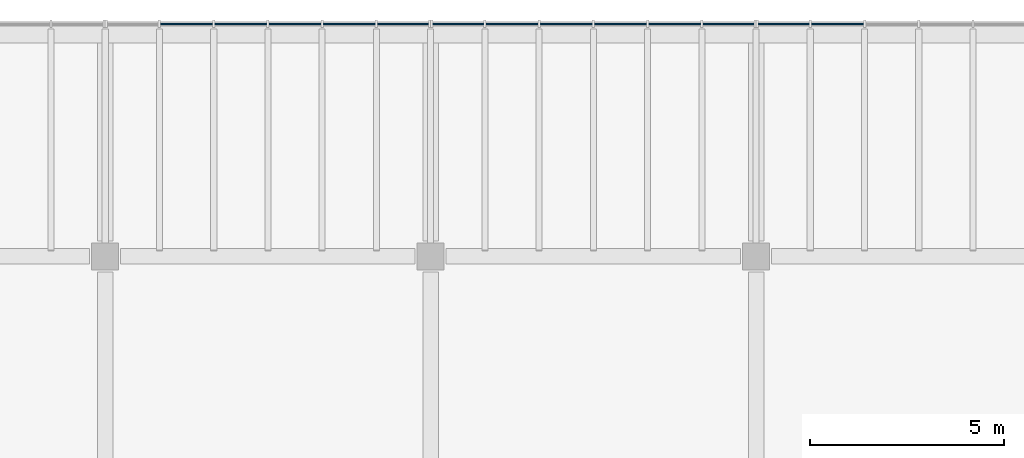
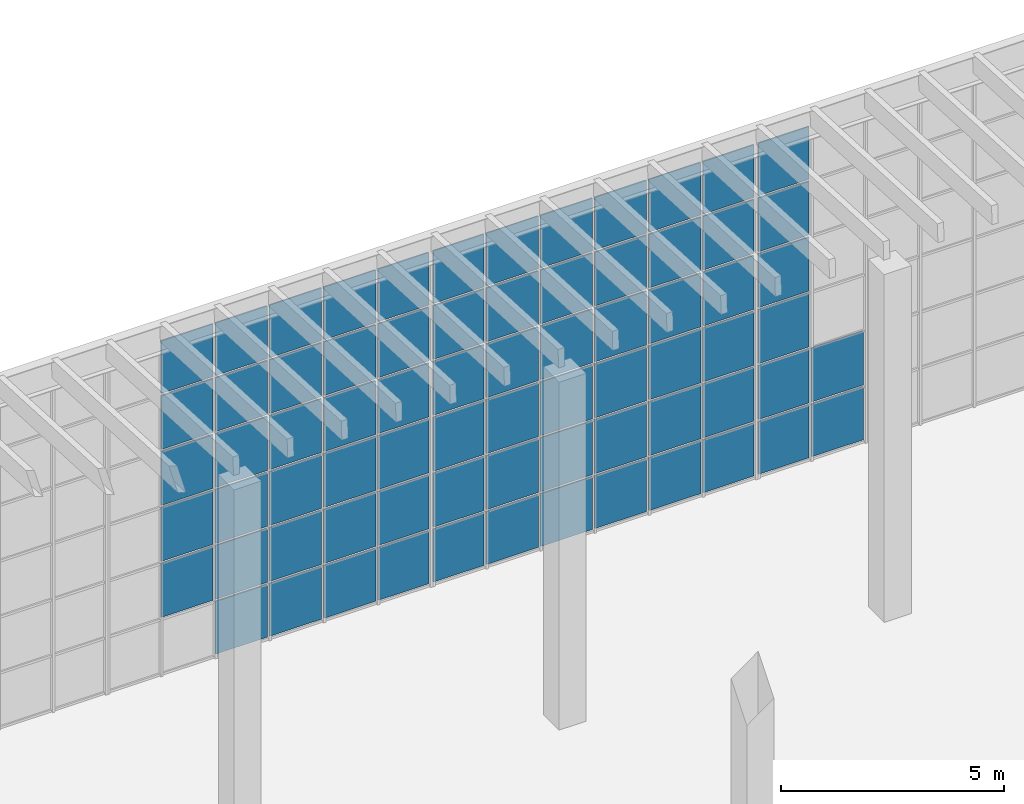
# One storey, part 33 of 114: 73 plates, 3 elements without a shape of their own.
"""IFC4 building model written with IfcOpenShell, lengths in metres."""

from ifc_helpers import new_model, si_unit, direction, frame, origin, origin_2d, place, context, subcontext, project, spatial, rectangle, extrude, material, layer, layer_set, type_object, element, aggregate, save


model = new_model("IFC4")

# Units and contexts
model_context = context("Model", 3, precision=1e-05, world=origin(), true_north=direction((0.0, 1.0)))
body_context = subcontext(model_context, "Body", "Model", "MODEL_VIEW")
ifc_project = project(units=[si_unit("LENGTHUNIT", "METRE"), si_unit("AREAUNIT", "SQUARE_METRE"), si_unit("VOLUMEUNIT", "CUBIC_METRE"), si_unit("PLANEANGLEUNIT", "RADIAN"), si_unit("MASSUNIT", "GRAM", prefix="KILO")], contexts=[model_context])

# Site, building, storey
site_placement = place(None, origin())
site = spatial("IfcSite", under=ifc_project, at=site_placement, CompositionType="ELEMENT")
building_placement = place(site_placement, origin())
building = spatial("IfcBuilding", under=site, at=building_placement, Name="Almond Square Museum", CompositionType="ELEMENT")
storey_placement = place(building_placement, frame((0.0, 0.0, 10.5)))
storey = spatial("IfcBuildingStorey", under=building, at=storey_placement, Name="L02", CompositionType="ELEMENT", Elevation=10.5)

# Curtain wall, plates
ifc_material_1 = material(Name="Aluminium and laminated glass", Category="aluminium")
curtain_wall_type = type_object("IfcCurtainWallType", Name="Unitised curtain wall 1500 module", PredefinedType="NOTDEFINED", material=ifc_material_1)
curtain_wall_1_placement = place(storey_placement, origin())
curtain_wall_1 = element("IfcCurtainWall", 1, at=curtain_wall_1_placement, inside=storey, type_object=curtain_wall_type, Name="Curtain wall CW-21", PredefinedType="NOTDEFINED")
ifc_material_2 = material(Name="Laminated hurricane-rated glass", Category="glass")
ifc_layer = layer(ifc_material_2, 0.035888671875)
ifc_layer_set = layer_set([ifc_layer], Name="Laminated hurricane-rated glass")
plate_type = type_object("IfcPlateType", Name="Laminated glass panel 36", PredefinedType="CURTAIN_PANEL", material=ifc_layer_set)
plate_1_placement = place(storey_placement, frame((65.514892578125, 115.199951171875, 0.06005859375), z_axis=(0.0, 0.0, 1.0), x_axis=(1.0, 0.0, 0.0)))
plate_1 = element("IfcPlate", 2, at=plate_1_placement, type_object=plate_type, Name="CW-21 panel 1.1", PredefinedType="CURTAIN_PANEL", context=body_context, shape_type="SweptSolid", body=[
    extrude(rectangle(XDim=1.31005859375, YDim=0.035888671875, at=origin_2d()), origin(), (0.0, 0.0, 1.0), 1.437744140625),
])
plate_2_placement = place(storey_placement, frame((65.514892578125, 115.199951171875, 1.5576171875), z_axis=(0.0, 0.0, 1.0), x_axis=(1.0, 0.0, 0.0)))
plate_2 = element("IfcPlate", 3, at=plate_2_placement, type_object=plate_type, Name="CW-21 panel 1.2", PredefinedType="CURTAIN_PANEL", context=body_context, shape_type="SweptSolid", body=[
    extrude(rectangle(XDim=1.31005859375, YDim=0.035888671875, at=origin_2d()), origin(), (0.0, 0.0, 1.0), 1.4677734375),
])
plate_3_placement = place(storey_placement, frame((65.514892578125, 115.199951171875, 3.08544921875), z_axis=(0.0, 0.0, 1.0), x_axis=(1.0, 0.0, 0.0)))
plate_3 = element("IfcPlate", 4, at=plate_3_placement, type_object=plate_type, Name="CW-21 panel 1.3", PredefinedType="CURTAIN_PANEL", context=body_context, shape_type="SweptSolid", body=[
    extrude(rectangle(XDim=1.31005859375, YDim=0.035888671875, at=origin_2d()), origin(), (0.0, 0.0, 1.0), 1.4677734375),
])
plate_4_placement = place(storey_placement, frame((65.514892578125, 115.199951171875, 4.613037109375), z_axis=(0.0, 0.0, 1.0), x_axis=(1.0, 0.0, 0.0)))
plate_4 = element("IfcPlate", 5, at=plate_4_placement, type_object=plate_type, Name="CW-21 panel 1.4", PredefinedType="CURTAIN_PANEL", context=body_context, shape_type="SweptSolid", body=[
    extrude(rectangle(XDim=1.31005859375, YDim=0.035888671875, at=origin_2d()), origin(), (0.0, 0.0, 1.0), 1.4677734375),
])
plate_5_placement = place(storey_placement, frame((65.514892578125, 115.199951171875, 6.140869140625), z_axis=(0.0, 0.0, 1.0), x_axis=(1.0, 0.0, 0.0)))
plate_5 = element("IfcPlate", 6, at=plate_5_placement, type_object=plate_type, Name="CW-21 panel 1.5", PredefinedType="CURTAIN_PANEL", context=body_context, shape_type="SweptSolid", body=[
    extrude(rectangle(XDim=1.31005859375, YDim=0.035888671875, at=origin_2d()), origin(), (0.0, 0.0, 1.0), 1.4677734375),
])
plate_6_placement = place(storey_placement, frame((65.514892578125, 115.199951171875, 7.66845703125), z_axis=(0.0, 0.0, 1.0), x_axis=(1.0, 0.0, 0.0)))
plate_6 = element("IfcPlate", 7, at=plate_6_placement, type_object=plate_type, Name="CW-21 panel 1.6", PredefinedType="CURTAIN_PANEL", context=body_context, shape_type="SweptSolid", body=[
    extrude(rectangle(XDim=1.31005859375, YDim=0.035888671875, at=origin_2d()), origin(), (0.0, 0.0, 1.0), 1.437744140625),
])
plate_7_placement = place(storey_placement, frame((66.89990234375, 115.199951171875, 0.06005859375), z_axis=(0.0, 0.0, 1.0), x_axis=(1.0, 0.0, 0.0)))
plate_7 = element("IfcPlate", 8, at=plate_7_placement, type_object=plate_type, Name="CW-21 panel 2.1", PredefinedType="CURTAIN_PANEL", context=body_context, shape_type="SweptSolid", body=[
    extrude(rectangle(XDim=1.340087890625, YDim=0.035888671875, at=origin_2d()), origin(), (0.0, 0.0, 1.0), 1.437744140625),
])
plate_8_placement = place(storey_placement, frame((66.89990234375, 115.199951171875, 1.5576171875), z_axis=(0.0, 0.0, 1.0), x_axis=(1.0, 0.0, 0.0)))
plate_8 = element("IfcPlate", 9, at=plate_8_placement, type_object=plate_type, Name="CW-21 panel 2.2", PredefinedType="CURTAIN_PANEL", context=body_context, shape_type="SweptSolid", body=[
    extrude(rectangle(XDim=1.340087890625, YDim=0.035888671875, at=origin_2d()), origin(), (0.0, 0.0, 1.0), 1.4677734375),
])
aggregate(curtain_wall_1, [plate_1, plate_2, plate_3, plate_4, plate_5, plate_6, plate_7, plate_8])

curtain_wall_2_placement = place(storey_placement, origin())
curtain_wall_2 = element("IfcCurtainWall", 10, at=curtain_wall_2_placement, inside=storey, type_object=curtain_wall_type, Name="Curtain wall CW-22", PredefinedType="NOTDEFINED")
plate_9_placement = place(storey_placement, frame((57.114990234375, 115.199951171875, 0.06005859375), z_axis=(0.0, 0.0, 1.0), x_axis=(1.0, 0.0, 0.0)))
plate_9 = element("IfcPlate", 11, at=plate_9_placement, type_object=plate_type, Name="CW-22 panel 1.1", PredefinedType="CURTAIN_PANEL", context=body_context, shape_type="SweptSolid", body=[
    extrude(rectangle(XDim=1.31005859375, YDim=0.035888671875, at=origin_2d()), origin(), (0.0, 0.0, 1.0), 1.437744140625),
])
plate_10_placement = place(storey_placement, frame((57.114990234375, 115.199951171875, 1.5576171875), z_axis=(0.0, 0.0, 1.0), x_axis=(1.0, 0.0, 0.0)))
plate_10 = element("IfcPlate", 12, at=plate_10_placement, type_object=plate_type, Name="CW-22 panel 1.2", PredefinedType="CURTAIN_PANEL", context=body_context, shape_type="SweptSolid", body=[
    extrude(rectangle(XDim=1.31005859375, YDim=0.035888671875, at=origin_2d()), origin(), (0.0, 0.0, 1.0), 1.4677734375),
])
plate_11_placement = place(storey_placement, frame((57.114990234375, 115.199951171875, 3.08544921875), z_axis=(0.0, 0.0, 1.0), x_axis=(1.0, 0.0, 0.0)))
plate_11 = element("IfcPlate", 13, at=plate_11_placement, type_object=plate_type, Name="CW-22 panel 1.3", PredefinedType="CURTAIN_PANEL", context=body_context, shape_type="SweptSolid", body=[
    extrude(rectangle(XDim=1.31005859375, YDim=0.035888671875, at=origin_2d()), origin(), (0.0, 0.0, 1.0), 1.4677734375),
])
plate_12_placement = place(storey_placement, frame((57.114990234375, 115.199951171875, 4.613037109375), z_axis=(0.0, 0.0, 1.0), x_axis=(1.0, 0.0, 0.0)))
plate_12 = element("IfcPlate", 14, at=plate_12_placement, type_object=plate_type, Name="CW-22 panel 1.4", PredefinedType="CURTAIN_PANEL", context=body_context, shape_type="SweptSolid", body=[
    extrude(rectangle(XDim=1.31005859375, YDim=0.035888671875, at=origin_2d()), origin(), (0.0, 0.0, 1.0), 1.4677734375),
])
plate_13_placement = place(storey_placement, frame((57.114990234375, 115.199951171875, 6.140869140625), z_axis=(0.0, 0.0, 1.0), x_axis=(1.0, 0.0, 0.0)))
plate_13 = element("IfcPlate", 15, at=plate_13_placement, type_object=plate_type, Name="CW-22 panel 1.5", PredefinedType="CURTAIN_PANEL", context=body_context, shape_type="SweptSolid", body=[
    extrude(rectangle(XDim=1.31005859375, YDim=0.035888671875, at=origin_2d()), origin(), (0.0, 0.0, 1.0), 1.4677734375),
])
plate_14_placement = place(storey_placement, frame((57.114990234375, 115.199951171875, 7.66845703125), z_axis=(0.0, 0.0, 1.0), x_axis=(1.0, 0.0, 0.0)))
plate_14 = element("IfcPlate", 16, at=plate_14_placement, type_object=plate_type, Name="CW-22 panel 1.6", PredefinedType="CURTAIN_PANEL", context=body_context, shape_type="SweptSolid", body=[
    extrude(rectangle(XDim=1.31005859375, YDim=0.035888671875, at=origin_2d()), origin(), (0.0, 0.0, 1.0), 1.437744140625),
])
plate_15_placement = place(storey_placement, frame((58.5, 115.199951171875, 0.06005859375), z_axis=(0.0, 0.0, 1.0), x_axis=(1.0, 0.0, 0.0)))
plate_15 = element("IfcPlate", 17, at=plate_15_placement, type_object=plate_type, Name="CW-22 panel 2.1", PredefinedType="CURTAIN_PANEL", context=body_context, shape_type="SweptSolid", body=[
    extrude(rectangle(XDim=1.340087890625, YDim=0.035888671875, at=origin_2d()), origin(), (0.0, 0.0, 1.0), 1.437744140625),
])
plate_16_placement = place(storey_placement, frame((58.5, 115.199951171875, 1.5576171875), z_axis=(0.0, 0.0, 1.0), x_axis=(1.0, 0.0, 0.0)))
plate_16 = element("IfcPlate", 18, at=plate_16_placement, type_object=plate_type, Name="CW-22 panel 2.2", PredefinedType="CURTAIN_PANEL", context=body_context, shape_type="SweptSolid", body=[
    extrude(rectangle(XDim=1.340087890625, YDim=0.035888671875, at=origin_2d()), origin(), (0.0, 0.0, 1.0), 1.4677734375),
])
plate_17_placement = place(storey_placement, frame((58.5, 115.199951171875, 3.08544921875), z_axis=(0.0, 0.0, 1.0), x_axis=(1.0, 0.0, 0.0)))
plate_17 = element("IfcPlate", 19, at=plate_17_placement, type_object=plate_type, Name="CW-22 panel 2.3", PredefinedType="CURTAIN_PANEL", context=body_context, shape_type="SweptSolid", body=[
    extrude(rectangle(XDim=1.340087890625, YDim=0.035888671875, at=origin_2d()), origin(), (0.0, 0.0, 1.0), 1.4677734375),
])
plate_18_placement = place(storey_placement, frame((58.5, 115.199951171875, 4.613037109375), z_axis=(0.0, 0.0, 1.0), x_axis=(1.0, 0.0, 0.0)))
plate_18 = element("IfcPlate", 20, at=plate_18_placement, type_object=plate_type, Name="CW-22 panel 2.4", PredefinedType="CURTAIN_PANEL", context=body_context, shape_type="SweptSolid", body=[
    extrude(rectangle(XDim=1.340087890625, YDim=0.035888671875, at=origin_2d()), origin(), (0.0, 0.0, 1.0), 1.4677734375),
])
plate_19_placement = place(storey_placement, frame((58.5, 115.199951171875, 6.140869140625), z_axis=(0.0, 0.0, 1.0), x_axis=(1.0, 0.0, 0.0)))
plate_19 = element("IfcPlate", 21, at=plate_19_placement, type_object=plate_type, Name="CW-22 panel 2.5", PredefinedType="CURTAIN_PANEL", context=body_context, shape_type="SweptSolid", body=[
    extrude(rectangle(XDim=1.340087890625, YDim=0.035888671875, at=origin_2d()), origin(), (0.0, 0.0, 1.0), 1.4677734375),
])
plate_20_placement = place(storey_placement, frame((58.5, 115.199951171875, 7.66845703125), z_axis=(0.0, 0.0, 1.0), x_axis=(1.0, 0.0, 0.0)))
plate_20 = element("IfcPlate", 22, at=plate_20_placement, type_object=plate_type, Name="CW-22 panel 2.6", PredefinedType="CURTAIN_PANEL", context=body_context, shape_type="SweptSolid", body=[
    extrude(rectangle(XDim=1.340087890625, YDim=0.035888671875, at=origin_2d()), origin(), (0.0, 0.0, 1.0), 1.437744140625),
])
plate_21_placement = place(storey_placement, frame((59.89990234375, 115.199951171875, 0.06005859375), z_axis=(0.0, 0.0, 1.0), x_axis=(1.0, 0.0, 0.0)))
plate_21 = element("IfcPlate", 23, at=plate_21_placement, type_object=plate_type, Name="CW-22 panel 3.1", PredefinedType="CURTAIN_PANEL", context=body_context, shape_type="SweptSolid", body=[
    extrude(rectangle(XDim=1.340087890625, YDim=0.035888671875, at=origin_2d()), origin(), (0.0, 0.0, 1.0), 1.437744140625),
])
plate_22_placement = place(storey_placement, frame((59.89990234375, 115.199951171875, 1.5576171875), z_axis=(0.0, 0.0, 1.0), x_axis=(1.0, 0.0, 0.0)))
plate_22 = element("IfcPlate", 24, at=plate_22_placement, type_object=plate_type, Name="CW-22 panel 3.2", PredefinedType="CURTAIN_PANEL", context=body_context, shape_type="SweptSolid", body=[
    extrude(rectangle(XDim=1.340087890625, YDim=0.035888671875, at=origin_2d()), origin(), (0.0, 0.0, 1.0), 1.4677734375),
])
plate_23_placement = place(storey_placement, frame((59.89990234375, 115.199951171875, 3.08544921875), z_axis=(0.0, 0.0, 1.0), x_axis=(1.0, 0.0, 0.0)))
plate_23 = element("IfcPlate", 25, at=plate_23_placement, type_object=plate_type, Name="CW-22 panel 3.3", PredefinedType="CURTAIN_PANEL", context=body_context, shape_type="SweptSolid", body=[
    extrude(rectangle(XDim=1.340087890625, YDim=0.035888671875, at=origin_2d()), origin(), (0.0, 0.0, 1.0), 1.4677734375),
])
plate_24_placement = place(storey_placement, frame((59.89990234375, 115.199951171875, 4.613037109375), z_axis=(0.0, 0.0, 1.0), x_axis=(1.0, 0.0, 0.0)))
plate_24 = element("IfcPlate", 26, at=plate_24_placement, type_object=plate_type, Name="CW-22 panel 3.4", PredefinedType="CURTAIN_PANEL", context=body_context, shape_type="SweptSolid", body=[
    extrude(rectangle(XDim=1.340087890625, YDim=0.035888671875, at=origin_2d()), origin(), (0.0, 0.0, 1.0), 1.4677734375),
])
plate_25_placement = place(storey_placement, frame((59.89990234375, 115.199951171875, 6.140869140625), z_axis=(0.0, 0.0, 1.0), x_axis=(1.0, 0.0, 0.0)))
plate_25 = element("IfcPlate", 27, at=plate_25_placement, type_object=plate_type, Name="CW-22 panel 3.5", PredefinedType="CURTAIN_PANEL", context=body_context, shape_type="SweptSolid", body=[
    extrude(rectangle(XDim=1.340087890625, YDim=0.035888671875, at=origin_2d()), origin(), (0.0, 0.0, 1.0), 1.4677734375),
])
plate_26_placement = place(storey_placement, frame((59.89990234375, 115.199951171875, 7.66845703125), z_axis=(0.0, 0.0, 1.0), x_axis=(1.0, 0.0, 0.0)))
plate_26 = element("IfcPlate", 28, at=plate_26_placement, type_object=plate_type, Name="CW-22 panel 3.6", PredefinedType="CURTAIN_PANEL", context=body_context, shape_type="SweptSolid", body=[
    extrude(rectangle(XDim=1.340087890625, YDim=0.035888671875, at=origin_2d()), origin(), (0.0, 0.0, 1.0), 1.437744140625),
])
plate_27_placement = place(storey_placement, frame((61.300048828125, 115.199951171875, 0.06005859375), z_axis=(0.0, 0.0, 1.0), x_axis=(1.0, 0.0, 0.0)))
plate_27 = element("IfcPlate", 29, at=plate_27_placement, type_object=plate_type, Name="CW-22 panel 4.1", PredefinedType="CURTAIN_PANEL", context=body_context, shape_type="SweptSolid", body=[
    extrude(rectangle(XDim=1.340087890625, YDim=0.035888671875, at=origin_2d()), origin(), (0.0, 0.0, 1.0), 1.437744140625),
])
plate_28_placement = place(storey_placement, frame((61.300048828125, 115.199951171875, 1.5576171875), z_axis=(0.0, 0.0, 1.0), x_axis=(1.0, 0.0, 0.0)))
plate_28 = element("IfcPlate", 30, at=plate_28_placement, type_object=plate_type, Name="CW-22 panel 4.2", PredefinedType="CURTAIN_PANEL", context=body_context, shape_type="SweptSolid", body=[
    extrude(rectangle(XDim=1.340087890625, YDim=0.035888671875, at=origin_2d()), origin(), (0.0, 0.0, 1.0), 1.4677734375),
])
plate_29_placement = place(storey_placement, frame((61.300048828125, 115.199951171875, 3.08544921875), z_axis=(0.0, 0.0, 1.0), x_axis=(1.0, 0.0, 0.0)))
plate_29 = element("IfcPlate", 31, at=plate_29_placement, type_object=plate_type, Name="CW-22 panel 4.3", PredefinedType="CURTAIN_PANEL", context=body_context, shape_type="SweptSolid", body=[
    extrude(rectangle(XDim=1.340087890625, YDim=0.035888671875, at=origin_2d()), origin(), (0.0, 0.0, 1.0), 1.4677734375),
])
plate_30_placement = place(storey_placement, frame((61.300048828125, 115.199951171875, 4.613037109375), z_axis=(0.0, 0.0, 1.0), x_axis=(1.0, 0.0, 0.0)))
plate_30 = element("IfcPlate", 32, at=plate_30_placement, type_object=plate_type, Name="CW-22 panel 4.4", PredefinedType="CURTAIN_PANEL", context=body_context, shape_type="SweptSolid", body=[
    extrude(rectangle(XDim=1.340087890625, YDim=0.035888671875, at=origin_2d()), origin(), (0.0, 0.0, 1.0), 1.4677734375),
])
plate_31_placement = place(storey_placement, frame((61.300048828125, 115.199951171875, 6.140869140625), z_axis=(0.0, 0.0, 1.0), x_axis=(1.0, 0.0, 0.0)))
plate_31 = element("IfcPlate", 33, at=plate_31_placement, type_object=plate_type, Name="CW-22 panel 4.5", PredefinedType="CURTAIN_PANEL", context=body_context, shape_type="SweptSolid", body=[
    extrude(rectangle(XDim=1.340087890625, YDim=0.035888671875, at=origin_2d()), origin(), (0.0, 0.0, 1.0), 1.4677734375),
])
plate_32_placement = place(storey_placement, frame((61.300048828125, 115.199951171875, 7.66845703125), z_axis=(0.0, 0.0, 1.0), x_axis=(1.0, 0.0, 0.0)))
plate_32 = element("IfcPlate", 34, at=plate_32_placement, type_object=plate_type, Name="CW-22 panel 4.6", PredefinedType="CURTAIN_PANEL", context=body_context, shape_type="SweptSolid", body=[
    extrude(rectangle(XDim=1.340087890625, YDim=0.035888671875, at=origin_2d()), origin(), (0.0, 0.0, 1.0), 1.437744140625),
])
plate_33_placement = place(storey_placement, frame((62.699951171875, 115.199951171875, 0.06005859375), z_axis=(0.0, 0.0, 1.0), x_axis=(1.0, 0.0, 0.0)))
plate_33 = element("IfcPlate", 35, at=plate_33_placement, type_object=plate_type, Name="CW-22 panel 5.1", PredefinedType="CURTAIN_PANEL", context=body_context, shape_type="SweptSolid", body=[
    extrude(rectangle(XDim=1.340087890625, YDim=0.035888671875, at=origin_2d()), origin(), (0.0, 0.0, 1.0), 1.437744140625),
])
plate_34_placement = place(storey_placement, frame((62.699951171875, 115.199951171875, 1.5576171875), z_axis=(0.0, 0.0, 1.0), x_axis=(1.0, 0.0, 0.0)))
plate_34 = element("IfcPlate", 36, at=plate_34_placement, type_object=plate_type, Name="CW-22 panel 5.2", PredefinedType="CURTAIN_PANEL", context=body_context, shape_type="SweptSolid", body=[
    extrude(rectangle(XDim=1.340087890625, YDim=0.035888671875, at=origin_2d()), origin(), (0.0, 0.0, 1.0), 1.4677734375),
])
plate_35_placement = place(storey_placement, frame((62.699951171875, 115.199951171875, 3.08544921875), z_axis=(0.0, 0.0, 1.0), x_axis=(1.0, 0.0, 0.0)))
plate_35 = element("IfcPlate", 37, at=plate_35_placement, type_object=plate_type, Name="CW-22 panel 5.3", PredefinedType="CURTAIN_PANEL", context=body_context, shape_type="SweptSolid", body=[
    extrude(rectangle(XDim=1.340087890625, YDim=0.035888671875, at=origin_2d()), origin(), (0.0, 0.0, 1.0), 1.4677734375),
])
plate_36_placement = place(storey_placement, frame((62.699951171875, 115.199951171875, 4.613037109375), z_axis=(0.0, 0.0, 1.0), x_axis=(1.0, 0.0, 0.0)))
plate_36 = element("IfcPlate", 38, at=plate_36_placement, type_object=plate_type, Name="CW-22 panel 5.4", PredefinedType="CURTAIN_PANEL", context=body_context, shape_type="SweptSolid", body=[
    extrude(rectangle(XDim=1.340087890625, YDim=0.035888671875, at=origin_2d()), origin(), (0.0, 0.0, 1.0), 1.4677734375),
])
plate_37_placement = place(storey_placement, frame((62.699951171875, 115.199951171875, 6.140869140625), z_axis=(0.0, 0.0, 1.0), x_axis=(1.0, 0.0, 0.0)))
plate_37 = element("IfcPlate", 39, at=plate_37_placement, type_object=plate_type, Name="CW-22 panel 5.5", PredefinedType="CURTAIN_PANEL", context=body_context, shape_type="SweptSolid", body=[
    extrude(rectangle(XDim=1.340087890625, YDim=0.035888671875, at=origin_2d()), origin(), (0.0, 0.0, 1.0), 1.4677734375),
])
plate_38_placement = place(storey_placement, frame((62.699951171875, 115.199951171875, 7.66845703125), z_axis=(0.0, 0.0, 1.0), x_axis=(1.0, 0.0, 0.0)))
plate_38 = element("IfcPlate", 40, at=plate_38_placement, type_object=plate_type, Name="CW-22 panel 5.6", PredefinedType="CURTAIN_PANEL", context=body_context, shape_type="SweptSolid", body=[
    extrude(rectangle(XDim=1.340087890625, YDim=0.035888671875, at=origin_2d()), origin(), (0.0, 0.0, 1.0), 1.437744140625),
])
plate_39_placement = place(storey_placement, frame((64.0849609375, 115.199951171875, 0.06005859375), z_axis=(0.0, 0.0, 1.0), x_axis=(1.0, 0.0, 0.0)))
plate_39 = element("IfcPlate", 41, at=plate_39_placement, type_object=plate_type, Name="CW-22 panel 6.1", PredefinedType="CURTAIN_PANEL", context=body_context, shape_type="SweptSolid", body=[
    extrude(rectangle(XDim=1.31005859375, YDim=0.035888671875, at=origin_2d()), origin(), (0.0, 0.0, 1.0), 1.437744140625),
])
plate_40_placement = place(storey_placement, frame((64.0849609375, 115.199951171875, 1.5576171875), z_axis=(0.0, 0.0, 1.0), x_axis=(1.0, 0.0, 0.0)))
plate_40 = element("IfcPlate", 42, at=plate_40_placement, type_object=plate_type, Name="CW-22 panel 6.2", PredefinedType="CURTAIN_PANEL", context=body_context, shape_type="SweptSolid", body=[
    extrude(rectangle(XDim=1.31005859375, YDim=0.035888671875, at=origin_2d()), origin(), (0.0, 0.0, 1.0), 1.4677734375),
])
plate_41_placement = place(storey_placement, frame((64.0849609375, 115.199951171875, 3.08544921875), z_axis=(0.0, 0.0, 1.0), x_axis=(1.0, 0.0, 0.0)))
plate_41 = element("IfcPlate", 43, at=plate_41_placement, type_object=plate_type, Name="CW-22 panel 6.3", PredefinedType="CURTAIN_PANEL", context=body_context, shape_type="SweptSolid", body=[
    extrude(rectangle(XDim=1.31005859375, YDim=0.035888671875, at=origin_2d()), origin(), (0.0, 0.0, 1.0), 1.4677734375),
])
plate_42_placement = place(storey_placement, frame((64.0849609375, 115.199951171875, 4.613037109375), z_axis=(0.0, 0.0, 1.0), x_axis=(1.0, 0.0, 0.0)))
plate_42 = element("IfcPlate", 44, at=plate_42_placement, type_object=plate_type, Name="CW-22 panel 6.4", PredefinedType="CURTAIN_PANEL", context=body_context, shape_type="SweptSolid", body=[
    extrude(rectangle(XDim=1.31005859375, YDim=0.035888671875, at=origin_2d()), origin(), (0.0, 0.0, 1.0), 1.4677734375),
])
plate_43_placement = place(storey_placement, frame((64.0849609375, 115.199951171875, 6.140869140625), z_axis=(0.0, 0.0, 1.0), x_axis=(1.0, 0.0, 0.0)))
plate_43 = element("IfcPlate", 45, at=plate_43_placement, type_object=plate_type, Name="CW-22 panel 6.5", PredefinedType="CURTAIN_PANEL", context=body_context, shape_type="SweptSolid", body=[
    extrude(rectangle(XDim=1.31005859375, YDim=0.035888671875, at=origin_2d()), origin(), (0.0, 0.0, 1.0), 1.4677734375),
])
plate_44_placement = place(storey_placement, frame((64.0849609375, 115.199951171875, 7.66845703125), z_axis=(0.0, 0.0, 1.0), x_axis=(1.0, 0.0, 0.0)))
plate_44 = element("IfcPlate", 46, at=plate_44_placement, type_object=plate_type, Name="CW-22 panel 6.6", PredefinedType="CURTAIN_PANEL", context=body_context, shape_type="SweptSolid", body=[
    extrude(rectangle(XDim=1.31005859375, YDim=0.035888671875, at=origin_2d()), origin(), (0.0, 0.0, 1.0), 1.437744140625),
])
aggregate(curtain_wall_2, [plate_9, plate_10, plate_11, plate_12, plate_13, plate_14, plate_15, plate_16, plate_17, plate_18, plate_19, plate_20, plate_21, plate_22, plate_23, plate_24, plate_25, plate_26, plate_27, plate_28, plate_29, plate_30, plate_31, plate_32, plate_33, plate_34, plate_35, plate_36, plate_37, plate_38, plate_39, plate_40, plate_41, plate_42, plate_43, plate_44])

curtain_wall_3_placement = place(storey_placement, origin())
curtain_wall_3 = element("IfcCurtainWall", 47, at=curtain_wall_3_placement, inside=storey, type_object=curtain_wall_type, Name="Curtain wall CW-23", PredefinedType="NOTDEFINED")
plate_45_placement = place(storey_placement, frame((50.10009765625, 115.199951171875, 1.5576171875), z_axis=(0.0, 0.0, 1.0), x_axis=(1.0, 0.0, 0.0)))
plate_45 = element("IfcPlate", 48, at=plate_45_placement, type_object=plate_type, Name="CW-23 panel 2.2", PredefinedType="CURTAIN_PANEL", context=body_context, shape_type="SweptSolid", body=[
    extrude(rectangle(XDim=1.340087890625, YDim=0.035888671875, at=origin_2d()), origin(), (0.0, 0.0, 1.0), 1.4677734375),
])
plate_46_placement = place(storey_placement, frame((50.10009765625, 115.199951171875, 3.08544921875), z_axis=(0.0, 0.0, 1.0), x_axis=(1.0, 0.0, 0.0)))
plate_46 = element("IfcPlate", 49, at=plate_46_placement, type_object=plate_type, Name="CW-23 panel 2.3", PredefinedType="CURTAIN_PANEL", context=body_context, shape_type="SweptSolid", body=[
    extrude(rectangle(XDim=1.340087890625, YDim=0.035888671875, at=origin_2d()), origin(), (0.0, 0.0, 1.0), 1.4677734375),
])
plate_47_placement = place(storey_placement, frame((50.10009765625, 115.199951171875, 4.613037109375), z_axis=(0.0, 0.0, 1.0), x_axis=(1.0, 0.0, 0.0)))
plate_47 = element("IfcPlate", 50, at=plate_47_placement, type_object=plate_type, Name="CW-23 panel 2.4", PredefinedType="CURTAIN_PANEL", context=body_context, shape_type="SweptSolid", body=[
    extrude(rectangle(XDim=1.340087890625, YDim=0.035888671875, at=origin_2d()), origin(), (0.0, 0.0, 1.0), 1.4677734375),
])
plate_48_placement = place(storey_placement, frame((50.10009765625, 115.199951171875, 6.140869140625), z_axis=(0.0, 0.0, 1.0), x_axis=(1.0, 0.0, 0.0)))
plate_48 = element("IfcPlate", 51, at=plate_48_placement, type_object=plate_type, Name="CW-23 panel 2.5", PredefinedType="CURTAIN_PANEL", context=body_context, shape_type="SweptSolid", body=[
    extrude(rectangle(XDim=1.340087890625, YDim=0.035888671875, at=origin_2d()), origin(), (0.0, 0.0, 1.0), 1.4677734375),
])
plate_49_placement = place(storey_placement, frame((50.10009765625, 115.199951171875, 7.66845703125), z_axis=(0.0, 0.0, 1.0), x_axis=(1.0, 0.0, 0.0)))
plate_49 = element("IfcPlate", 52, at=plate_49_placement, type_object=plate_type, Name="CW-23 panel 2.6", PredefinedType="CURTAIN_PANEL", context=body_context, shape_type="SweptSolid", body=[
    extrude(rectangle(XDim=1.340087890625, YDim=0.035888671875, at=origin_2d()), origin(), (0.0, 0.0, 1.0), 1.437744140625),
])
plate_50_placement = place(storey_placement, frame((51.5, 115.199951171875, 0.06005859375), z_axis=(0.0, 0.0, 1.0), x_axis=(1.0, 0.0, 0.0)))
plate_50 = element("IfcPlate", 53, at=plate_50_placement, type_object=plate_type, Name="CW-23 panel 3.1", PredefinedType="CURTAIN_PANEL", context=body_context, shape_type="SweptSolid", body=[
    extrude(rectangle(XDim=1.340087890625, YDim=0.035888671875, at=origin_2d()), origin(), (0.0, 0.0, 1.0), 1.437744140625),
])
plate_51_placement = place(storey_placement, frame((51.5, 115.199951171875, 1.5576171875), z_axis=(0.0, 0.0, 1.0), x_axis=(1.0, 0.0, 0.0)))
plate_51 = element("IfcPlate", 54, at=plate_51_placement, type_object=plate_type, Name="CW-23 panel 3.2", PredefinedType="CURTAIN_PANEL", context=body_context, shape_type="SweptSolid", body=[
    extrude(rectangle(XDim=1.340087890625, YDim=0.035888671875, at=origin_2d()), origin(), (0.0, 0.0, 1.0), 1.4677734375),
])
plate_52_placement = place(storey_placement, frame((51.5, 115.199951171875, 3.08544921875), z_axis=(0.0, 0.0, 1.0), x_axis=(1.0, 0.0, 0.0)))
plate_52 = element("IfcPlate", 55, at=plate_52_placement, type_object=plate_type, Name="CW-23 panel 3.3", PredefinedType="CURTAIN_PANEL", context=body_context, shape_type="SweptSolid", body=[
    extrude(rectangle(XDim=1.340087890625, YDim=0.035888671875, at=origin_2d()), origin(), (0.0, 0.0, 1.0), 1.4677734375),
])
plate_53_placement = place(storey_placement, frame((51.5, 115.199951171875, 4.613037109375), z_axis=(0.0, 0.0, 1.0), x_axis=(1.0, 0.0, 0.0)))
plate_53 = element("IfcPlate", 56, at=plate_53_placement, type_object=plate_type, Name="CW-23 panel 3.4", PredefinedType="CURTAIN_PANEL", context=body_context, shape_type="SweptSolid", body=[
    extrude(rectangle(XDim=1.340087890625, YDim=0.035888671875, at=origin_2d()), origin(), (0.0, 0.0, 1.0), 1.4677734375),
])
plate_54_placement = place(storey_placement, frame((51.5, 115.199951171875, 6.140869140625), z_axis=(0.0, 0.0, 1.0), x_axis=(1.0, 0.0, 0.0)))
plate_54 = element("IfcPlate", 57, at=plate_54_placement, type_object=plate_type, Name="CW-23 panel 3.5", PredefinedType="CURTAIN_PANEL", context=body_context, shape_type="SweptSolid", body=[
    extrude(rectangle(XDim=1.340087890625, YDim=0.035888671875, at=origin_2d()), origin(), (0.0, 0.0, 1.0), 1.4677734375),
])
plate_55_placement = place(storey_placement, frame((51.5, 115.199951171875, 7.66845703125), z_axis=(0.0, 0.0, 1.0), x_axis=(1.0, 0.0, 0.0)))
plate_55 = element("IfcPlate", 58, at=plate_55_placement, type_object=plate_type, Name="CW-23 panel 3.6", PredefinedType="CURTAIN_PANEL", context=body_context, shape_type="SweptSolid", body=[
    extrude(rectangle(XDim=1.340087890625, YDim=0.035888671875, at=origin_2d()), origin(), (0.0, 0.0, 1.0), 1.437744140625),
])
plate_56_placement = place(storey_placement, frame((52.89990234375, 115.199951171875, 0.06005859375), z_axis=(0.0, 0.0, 1.0), x_axis=(1.0, 0.0, 0.0)))
plate_56 = element("IfcPlate", 59, at=plate_56_placement, type_object=plate_type, Name="CW-23 panel 4.1", PredefinedType="CURTAIN_PANEL", context=body_context, shape_type="SweptSolid", body=[
    extrude(rectangle(XDim=1.340087890625, YDim=0.035888671875, at=origin_2d()), origin(), (0.0, 0.0, 1.0), 1.437744140625),
])
plate_57_placement = place(storey_placement, frame((52.89990234375, 115.199951171875, 1.5576171875), z_axis=(0.0, 0.0, 1.0), x_axis=(1.0, 0.0, 0.0)))
plate_57 = element("IfcPlate", 60, at=plate_57_placement, type_object=plate_type, Name="CW-23 panel 4.2", PredefinedType="CURTAIN_PANEL", context=body_context, shape_type="SweptSolid", body=[
    extrude(rectangle(XDim=1.340087890625, YDim=0.035888671875, at=origin_2d()), origin(), (0.0, 0.0, 1.0), 1.4677734375),
])
plate_58_placement = place(storey_placement, frame((52.89990234375, 115.199951171875, 3.08544921875), z_axis=(0.0, 0.0, 1.0), x_axis=(1.0, 0.0, 0.0)))
plate_58 = element("IfcPlate", 61, at=plate_58_placement, type_object=plate_type, Name="CW-23 panel 4.3", PredefinedType="CURTAIN_PANEL", context=body_context, shape_type="SweptSolid", body=[
    extrude(rectangle(XDim=1.340087890625, YDim=0.035888671875, at=origin_2d()), origin(), (0.0, 0.0, 1.0), 1.4677734375),
])
plate_59_placement = place(storey_placement, frame((52.89990234375, 115.199951171875, 4.613037109375), z_axis=(0.0, 0.0, 1.0), x_axis=(1.0, 0.0, 0.0)))
plate_59 = element("IfcPlate", 62, at=plate_59_placement, type_object=plate_type, Name="CW-23 panel 4.4", PredefinedType="CURTAIN_PANEL", context=body_context, shape_type="SweptSolid", body=[
    extrude(rectangle(XDim=1.340087890625, YDim=0.035888671875, at=origin_2d()), origin(), (0.0, 0.0, 1.0), 1.4677734375),
])
plate_60_placement = place(storey_placement, frame((52.89990234375, 115.199951171875, 6.140869140625), z_axis=(0.0, 0.0, 1.0), x_axis=(1.0, 0.0, 0.0)))
plate_60 = element("IfcPlate", 63, at=plate_60_placement, type_object=plate_type, Name="CW-23 panel 4.5", PredefinedType="CURTAIN_PANEL", context=body_context, shape_type="SweptSolid", body=[
    extrude(rectangle(XDim=1.340087890625, YDim=0.035888671875, at=origin_2d()), origin(), (0.0, 0.0, 1.0), 1.4677734375),
])
plate_61_placement = place(storey_placement, frame((52.89990234375, 115.199951171875, 7.66845703125), z_axis=(0.0, 0.0, 1.0), x_axis=(1.0, 0.0, 0.0)))
plate_61 = element("IfcPlate", 64, at=plate_61_placement, type_object=plate_type, Name="CW-23 panel 4.6", PredefinedType="CURTAIN_PANEL", context=body_context, shape_type="SweptSolid", body=[
    extrude(rectangle(XDim=1.340087890625, YDim=0.035888671875, at=origin_2d()), origin(), (0.0, 0.0, 1.0), 1.437744140625),
])
plate_62_placement = place(storey_placement, frame((54.300048828125, 115.199951171875, 0.06005859375), z_axis=(0.0, 0.0, 1.0), x_axis=(1.0, 0.0, 0.0)))
plate_62 = element("IfcPlate", 65, at=plate_62_placement, type_object=plate_type, Name="CW-23 panel 5.1", PredefinedType="CURTAIN_PANEL", context=body_context, shape_type="SweptSolid", body=[
    extrude(rectangle(XDim=1.340087890625, YDim=0.035888671875, at=origin_2d()), origin(), (0.0, 0.0, 1.0), 1.437744140625),
])
plate_63_placement = place(storey_placement, frame((54.300048828125, 115.199951171875, 1.5576171875), z_axis=(0.0, 0.0, 1.0), x_axis=(1.0, 0.0, 0.0)))
plate_63 = element("IfcPlate", 66, at=plate_63_placement, type_object=plate_type, Name="CW-23 panel 5.2", PredefinedType="CURTAIN_PANEL", context=body_context, shape_type="SweptSolid", body=[
    extrude(rectangle(XDim=1.340087890625, YDim=0.035888671875, at=origin_2d()), origin(), (0.0, 0.0, 1.0), 1.4677734375),
])
plate_64_placement = place(storey_placement, frame((54.300048828125, 115.199951171875, 3.08544921875), z_axis=(0.0, 0.0, 1.0), x_axis=(1.0, 0.0, 0.0)))
plate_64 = element("IfcPlate", 67, at=plate_64_placement, type_object=plate_type, Name="CW-23 panel 5.3", PredefinedType="CURTAIN_PANEL", context=body_context, shape_type="SweptSolid", body=[
    extrude(rectangle(XDim=1.340087890625, YDim=0.035888671875, at=origin_2d()), origin(), (0.0, 0.0, 1.0), 1.4677734375),
])
plate_65_placement = place(storey_placement, frame((54.300048828125, 115.199951171875, 4.613037109375), z_axis=(0.0, 0.0, 1.0), x_axis=(1.0, 0.0, 0.0)))
plate_65 = element("IfcPlate", 68, at=plate_65_placement, type_object=plate_type, Name="CW-23 panel 5.4", PredefinedType="CURTAIN_PANEL", context=body_context, shape_type="SweptSolid", body=[
    extrude(rectangle(XDim=1.340087890625, YDim=0.035888671875, at=origin_2d()), origin(), (0.0, 0.0, 1.0), 1.4677734375),
])
plate_66_placement = place(storey_placement, frame((54.300048828125, 115.199951171875, 6.140869140625), z_axis=(0.0, 0.0, 1.0), x_axis=(1.0, 0.0, 0.0)))
plate_66 = element("IfcPlate", 69, at=plate_66_placement, type_object=plate_type, Name="CW-23 panel 5.5", PredefinedType="CURTAIN_PANEL", context=body_context, shape_type="SweptSolid", body=[
    extrude(rectangle(XDim=1.340087890625, YDim=0.035888671875, at=origin_2d()), origin(), (0.0, 0.0, 1.0), 1.4677734375),
])
plate_67_placement = place(storey_placement, frame((54.300048828125, 115.199951171875, 7.66845703125), z_axis=(0.0, 0.0, 1.0), x_axis=(1.0, 0.0, 0.0)))
plate_67 = element("IfcPlate", 70, at=plate_67_placement, type_object=plate_type, Name="CW-23 panel 5.6", PredefinedType="CURTAIN_PANEL", context=body_context, shape_type="SweptSolid", body=[
    extrude(rectangle(XDim=1.340087890625, YDim=0.035888671875, at=origin_2d()), origin(), (0.0, 0.0, 1.0), 1.437744140625),
])
plate_68_placement = place(storey_placement, frame((55.68505859375, 115.199951171875, 0.06005859375), z_axis=(0.0, 0.0, 1.0), x_axis=(1.0, 0.0, 0.0)))
plate_68 = element("IfcPlate", 71, at=plate_68_placement, type_object=plate_type, Name="CW-23 panel 6.1", PredefinedType="CURTAIN_PANEL", context=body_context, shape_type="SweptSolid", body=[
    extrude(rectangle(XDim=1.31005859375, YDim=0.035888671875, at=origin_2d()), origin(), (0.0, 0.0, 1.0), 1.437744140625),
])
plate_69_placement = place(storey_placement, frame((55.68505859375, 115.199951171875, 1.5576171875), z_axis=(0.0, 0.0, 1.0), x_axis=(1.0, 0.0, 0.0)))
plate_69 = element("IfcPlate", 72, at=plate_69_placement, type_object=plate_type, Name="CW-23 panel 6.2", PredefinedType="CURTAIN_PANEL", context=body_context, shape_type="SweptSolid", body=[
    extrude(rectangle(XDim=1.31005859375, YDim=0.035888671875, at=origin_2d()), origin(), (0.0, 0.0, 1.0), 1.4677734375),
])
plate_70_placement = place(storey_placement, frame((55.68505859375, 115.199951171875, 3.08544921875), z_axis=(0.0, 0.0, 1.0), x_axis=(1.0, 0.0, 0.0)))
plate_70 = element("IfcPlate", 73, at=plate_70_placement, type_object=plate_type, Name="CW-23 panel 6.3", PredefinedType="CURTAIN_PANEL", context=body_context, shape_type="SweptSolid", body=[
    extrude(rectangle(XDim=1.31005859375, YDim=0.035888671875, at=origin_2d()), origin(), (0.0, 0.0, 1.0), 1.4677734375),
])
plate_71_placement = place(storey_placement, frame((55.68505859375, 115.199951171875, 4.613037109375), z_axis=(0.0, 0.0, 1.0), x_axis=(1.0, 0.0, 0.0)))
plate_71 = element("IfcPlate", 74, at=plate_71_placement, type_object=plate_type, Name="CW-23 panel 6.4", PredefinedType="CURTAIN_PANEL", context=body_context, shape_type="SweptSolid", body=[
    extrude(rectangle(XDim=1.31005859375, YDim=0.035888671875, at=origin_2d()), origin(), (0.0, 0.0, 1.0), 1.4677734375),
])
plate_72_placement = place(storey_placement, frame((55.68505859375, 115.199951171875, 6.140869140625), z_axis=(0.0, 0.0, 1.0), x_axis=(1.0, 0.0, 0.0)))
plate_72 = element("IfcPlate", 75, at=plate_72_placement, type_object=plate_type, Name="CW-23 panel 6.5", PredefinedType="CURTAIN_PANEL", context=body_context, shape_type="SweptSolid", body=[
    extrude(rectangle(XDim=1.31005859375, YDim=0.035888671875, at=origin_2d()), origin(), (0.0, 0.0, 1.0), 1.4677734375),
])
plate_73_placement = place(storey_placement, frame((55.68505859375, 115.199951171875, 7.66845703125), z_axis=(0.0, 0.0, 1.0), x_axis=(1.0, 0.0, 0.0)))
plate_73 = element("IfcPlate", 76, at=plate_73_placement, type_object=plate_type, Name="CW-23 panel 6.6", PredefinedType="CURTAIN_PANEL", context=body_context, shape_type="SweptSolid", body=[
    extrude(rectangle(XDim=1.31005859375, YDim=0.035888671875, at=origin_2d()), origin(), (0.0, 0.0, 1.0), 1.437744140625),
])
aggregate(curtain_wall_3, [plate_45, plate_46, plate_47, plate_48, plate_49, plate_50, plate_51, plate_52, plate_53, plate_54, plate_55, plate_56, plate_57, plate_58, plate_59, plate_60, plate_61, plate_62, plate_63, plate_64, plate_65, plate_66, plate_67, plate_68, plate_69, plate_70, plate_71, plate_72, plate_73])

save(model, "model.ifc")
